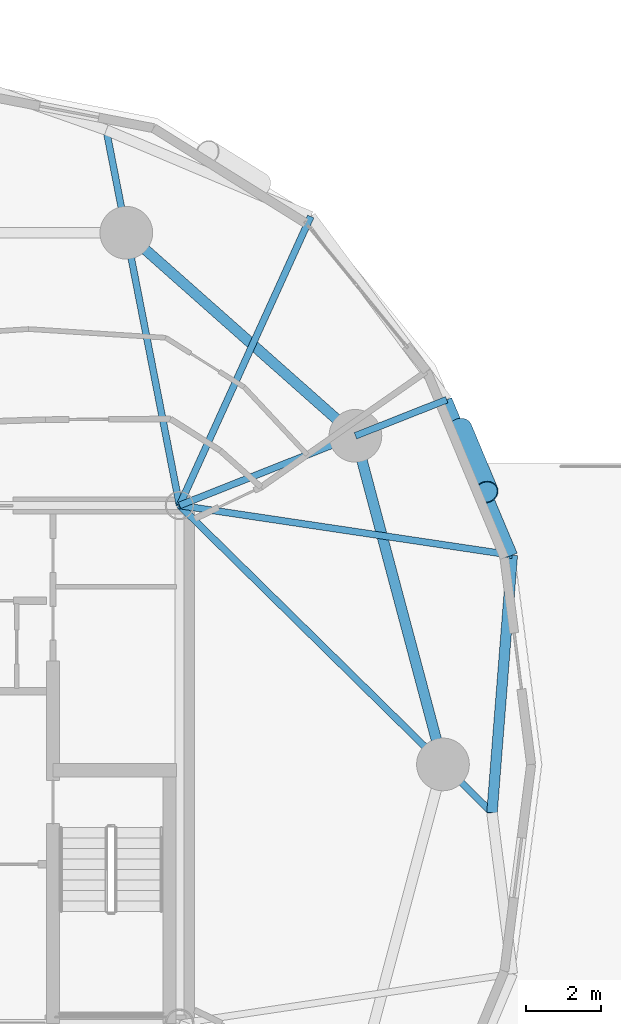
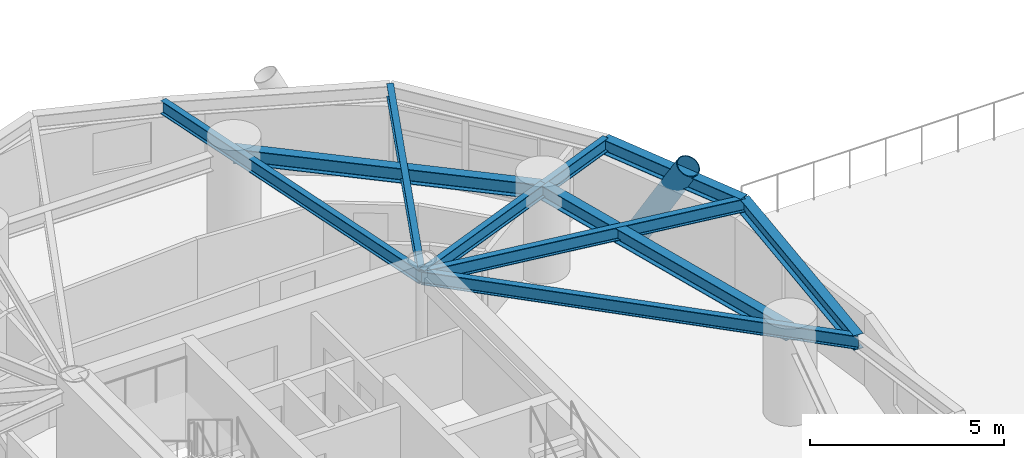
# One storey, part 2 of 19: 10 beams, 1 member.
"""IFC4 building model written with IfcOpenShell, lengths in metres."""

from ifc_helpers import new_model, si_unit, direction, frame, origin, origin_2d, place, context, subcontext, project, spatial, hollow_circle, i_section, extrude, material, material_profile, profile_set, type_object, element, save


model = new_model("IFC4")

# Units and contexts
model_context = context("Model", 3, precision=1e-05, world=origin(), true_north=direction((0.0, 1.0)))
body_context = subcontext(model_context, "Body", "Model", "MODEL_VIEW")
ifc_project = project(units=[si_unit("LENGTHUNIT", "METRE"), si_unit("AREAUNIT", "SQUARE_METRE"), si_unit("VOLUMEUNIT", "CUBIC_METRE"), si_unit("PLANEANGLEUNIT", "RADIAN"), si_unit("MASSUNIT", "GRAM", prefix="KILO")], contexts=[model_context])

# Site, building, storey
site_placement = place(None, origin())
site = spatial("IfcSite", under=ifc_project, at=site_placement, CompositionType="ELEMENT")
building_placement = place(site_placement, origin())
building = spatial("IfcBuilding", under=site, at=building_placement, Name="Cununo Teusaquillo Station Towers", CompositionType="ELEMENT")
storey_placement = place(building_placement, frame((0.0, 0.0, 144.0400390625)))
storey = spatial("IfcBuildingStorey", under=building, at=storey_placement, Name="L45", CompositionType="ELEMENT", Elevation=144.0400390625)

# Beams
ifc_material_1 = material(Name="Steel ASTM A572 Grade 50", Category="steel")
ifc_material_profile_1 = material_profile(ifc_material_1, i_section(OverallWidth=0.180908203125, OverallDepth=0.4169921875, WebThickness=0.010986328125, FlangeThickness=0.018310546875, FilletRadius=0.012939453125, at=origin_2d()), Name="W16X57")
ifc_profile_set_1 = profile_set([ifc_material_profile_1], Name="Steel ASTM A572 Grade 50")
beam_type_1 = type_object("IfcBeamType", Name="BM-JOIST-1", PredefinedType="JOIST", material=ifc_profile_set_1)
beam_1_placement = place(storey_placement, frame((21.675048828125, 31.3798828125, 2.511474609375), z_axis=(0.989018754675, -0.147790063606, 0.0), x_axis=(0.147790063606, 0.989018754675, 0.0)))
element("IfcBeam", 1, at=beam_1_placement, inside=storey, type_object=beam_type_1, Name="L45 Tower A Radial Spandrel Joist V01", PredefinedType="JOIST", context=body_context, shape_type="SweptSolid", body=[
    extrude(i_section(OverallWidth=0.180908203125, OverallDepth=0.4169921875, WebThickness=0.010986328125, FlangeThickness=0.018310546875, FilletRadius=0.012939453125, at=origin_2d()), origin(), (0.0, 0.0, 1.0), 8.93701171875),
])
beam_2_placement = place(storey_placement, frame((21.675048828125, 31.3798828125, 2.511474609375), z_axis=(0.413558514621, 0.910477542274, 0.0), x_axis=(-0.910477542274, 0.413558514621, 0.0)))
element("IfcBeam", 2, at=beam_2_placement, inside=storey, type_object=beam_type_1, Name="L45 Tower A Radial Spandrel Joist V03", PredefinedType="JOIST", context=body_context, shape_type="SweptSolid", body=[
    extrude(i_section(OverallWidth=0.180908203125, OverallDepth=0.4169921875, WebThickness=0.010986328125, FlangeThickness=0.018310546875, FilletRadius=0.012939453125, at=origin_2d()), origin(), (0.0, 0.0, 1.0), 8.428955078125),
])
ifc_material_2 = material(Name="Steel ASTM A572 Grade 50", Category="steel")
ifc_material_profile_2 = material_profile(ifc_material_2, i_section(OverallWidth=0.180908203125, OverallDepth=0.4169921875, WebThickness=0.010986328125, FlangeThickness=0.018310546875, FilletRadius=0.012939453125, at=origin_2d()), Name="W16X57")
ifc_profile_set_2 = profile_set([ifc_material_profile_2], Name="Steel ASTM A572 Grade 50")
beam_type_2 = type_object("IfcBeamType", Name="BM-RAD-G2", PredefinedType="BEAM", material=ifc_profile_set_2)
beam_3_placement = place(storey_placement, frame((21.675048828125, 31.3798828125, 2.511474609375), z_axis=(0.71304866969, -0.701114537471, 0.0), x_axis=(0.701114537471, 0.71304866969, 0.0)))
element("IfcBeam", 3, at=beam_3_placement, inside=storey, type_object=beam_type_2, Name="L45 Tower A Continuous Overhanging Radial Girder 01", PredefinedType="BEAM", context=body_context, shape_type="SweptSolid", body=[
    extrude(i_section(OverallWidth=0.180908203125, OverallDepth=0.4169921875, WebThickness=0.010986328125, FlangeThickness=0.018310546875, FilletRadius=0.012939453125, at=origin_2d()), origin(), (0.0, 0.0, 1.0), 11.64013671875),
])
beam_4_placement = place(storey_placement, frame((21.675048828125, 31.3798828125, 2.511474609375), z_axis=(0.929864104313, 0.367903176814, 0.0), x_axis=(-0.367903176814, 0.929864104313, 0.0)))
element("IfcBeam", 4, at=beam_4_placement, inside=storey, type_object=beam_type_2, Name="L45 Tower A Radial Girder 02A", PredefinedType="BEAM", context=body_context, shape_type="SweptSolid", body=[
    extrude(i_section(OverallWidth=0.180908203125, OverallDepth=0.4169921875, WebThickness=0.010986328125, FlangeThickness=0.018310546875, FilletRadius=0.012939453125, at=origin_2d()), origin(), (0.0, 0.0, 1.0), 5.02490234375),
])
beam_5_placement = place(storey_placement, frame((26.347412109375, 33.228515625, 2.511474609375), z_axis=(0.929858677495, 0.367916892636, 0.0), x_axis=(-0.367916892636, 0.929858677495, 0.0)))
element("IfcBeam", 5, at=beam_5_placement, inside=storey, type_object=beam_type_2, Name="L45 Tower A Perimeter Overhang Girder 02B", PredefinedType="BEAM", context=body_context, shape_type="SweptSolid", body=[
    extrude(i_section(OverallWidth=0.180908203125, OverallDepth=0.4169921875, WebThickness=0.010986328125, FlangeThickness=0.018310546875, FilletRadius=0.012939453125, at=origin_2d()), origin(), (0.0, 0.0, 1.0), 2.607177734375),
])
beam_6_placement = place(storey_placement, frame((21.675048828125, 31.3798828125, 2.511474609375), z_axis=(-0.191552706487, 0.981482328235, 0.0), x_axis=(-0.981482328235, -0.191552706487, 0.0)))
element("IfcBeam", 6, at=beam_6_placement, inside=storey, type_object=beam_type_2, Name="L45 Tower A Continuous Overhanging Radial Girder 03", PredefinedType="BEAM", context=body_context, shape_type="SweptSolid", body=[
    extrude(i_section(OverallWidth=0.180908203125, OverallDepth=0.4169921875, WebThickness=0.010986328125, FlangeThickness=0.018310546875, FilletRadius=0.012939453125, at=origin_2d()), origin(), (0.0, 0.0, 1.0), 10.159423828125),
])
ifc_material_3 = material(Name="Steel ASTM A572 Grade 50", Category="steel")
ifc_material_profile_3 = material_profile(ifc_material_3, i_section(OverallWidth=0.280029296875, OverallDepth=0.462890625, WebThickness=0.0107421875, FlangeThickness=0.017333984375, FilletRadius=0.013916015625, at=origin_2d()), Name="W18X76")
ifc_profile_set_3 = profile_set([ifc_material_profile_3], Name="Steel ASTM A572 Grade 50")
beam_type_3 = type_object("IfcBeamType", Name="BM-RING-Z2", PredefinedType="SPANDREL", material=ifc_profile_set_3)
beam_7_placement = place(storey_placement, frame((28.672119140625, 24.5, 2.488525390625), z_axis=(-0.257363196347, 0.966314744359, 0.0), x_axis=(-0.966314744359, -0.257363196347, 0.0)))
element("IfcBeam", 7, at=beam_7_placement, inside=storey, type_object=beam_type_3, Name="L45 Tower A Structural Column Ring Girder 01", PredefinedType="SPANDREL", context=body_context, shape_type="SweptSolid", body=[
    extrude(i_section(OverallWidth=0.280029296875, OverallDepth=0.462890625, WebThickness=0.0107421875, FlangeThickness=0.017333984375, FilletRadius=0.013916015625, at=origin_2d()), origin(), (0.0, 0.0, 1.0), 9.03271484375),
])
beam_8_placement = place(storey_placement, frame((26.347412109375, 33.228515625, 2.488525390625), z_axis=(-0.74832120039, 0.66333655187, 0.0), x_axis=(-0.66333655187, -0.74832120039, 0.0)))
element("IfcBeam", 8, at=beam_8_placement, inside=storey, type_object=beam_type_3, Name="L45 Tower A Structural Column Ring Girder 02", PredefinedType="SPANDREL", context=body_context, shape_type="SweptSolid", body=[
    extrude(i_section(OverallWidth=0.280029296875, OverallDepth=0.462890625, WebThickness=0.0107421875, FlangeThickness=0.017333984375, FilletRadius=0.013916015625, at=origin_2d()), origin(), (0.0, 0.0, 1.0), 8.1328125),
])
beam_9_placement = place(storey_placement, frame((29.97509765625, 23.21875, 2.488525390625), z_axis=(0.078527541639, 0.996911944559, 0.0), x_axis=(-0.996911944559, 0.078527541639, 0.0)))
element("IfcBeam", 9, at=beam_9_placement, inside=storey, type_object=beam_type_3, Name="L45 Tower A Spandrel Ring Beam 01", PredefinedType="SPANDREL", context=body_context, shape_type="SweptSolid", body=[
    extrude(i_section(OverallWidth=0.280029296875, OverallDepth=0.462890625, WebThickness=0.0107421875, FlangeThickness=0.017333984375, FilletRadius=0.013916015625, at=origin_2d()), origin(), (0.0, 0.0, 1.0), 6.861572265625),
])
beam_10_placement = place(storey_placement, frame((30.513916015625, 30.05908203125, 2.488525390625), z_axis=(-0.388777827816, 0.921331536744, 0.0), x_axis=(-0.921331536744, -0.388777827816, 0.0)))
element("IfcBeam", 10, at=beam_10_placement, inside=storey, type_object=beam_type_3, Name="L45 Tower A Spandrel Ring Beam 02", PredefinedType="SPANDREL", context=body_context, shape_type="SweptSolid", body=[
    extrude(i_section(OverallWidth=0.280029296875, OverallDepth=0.462890625, WebThickness=0.0107421875, FlangeThickness=0.017333984375, FilletRadius=0.013916015625, at=origin_2d()), origin(), (0.0, 0.0, 1.0), 4.481201171875),
])

# Member
ifc_material_4 = material(Name="Steel EN 10025-2 S355J2", Category="steel")
ifc_material_profile_4 = material_profile(ifc_material_4, hollow_circle(Radius=0.330078125, WallThickness=0.02490234375, at=origin_2d()), Name="CHS 660x25")
ifc_profile_set_4 = profile_set([ifc_material_profile_4], Name="Steel EN 10025-2 S355J2")
member_type = type_object("IfcMemberType", Name="MBR-DIAG-Z2", PredefinedType="BRACE", material=ifc_profile_set_4)
member_placement = place(storey_placement, frame((29.118408203125, 33.402587890625, -0.14013671875), z_axis=(0.196218503987, -0.470086807837, 0.860532795302), x_axis=(0.922833497828, 0.385199085262, 0.0)))
element("IfcMember", 11, at=member_placement, inside=storey, type_object=member_type, Name="L45 Tower A Folded-Zigzag Diagrid Tube C01", PredefinedType="BRACE", context=body_context, shape_type="SweptSolid", body=[
    extrude(hollow_circle(Radius=0.330078125, WallThickness=0.02490234375, at=origin_2d()), origin(), (0.0, 0.0, 1.0), 3.555908203125),
])

save(model, "model.ifc")
